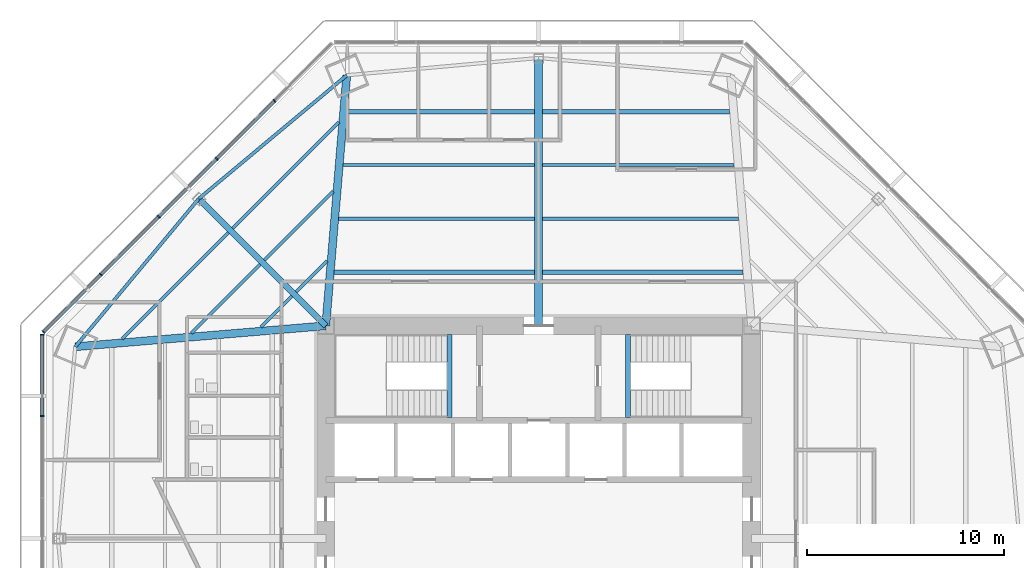
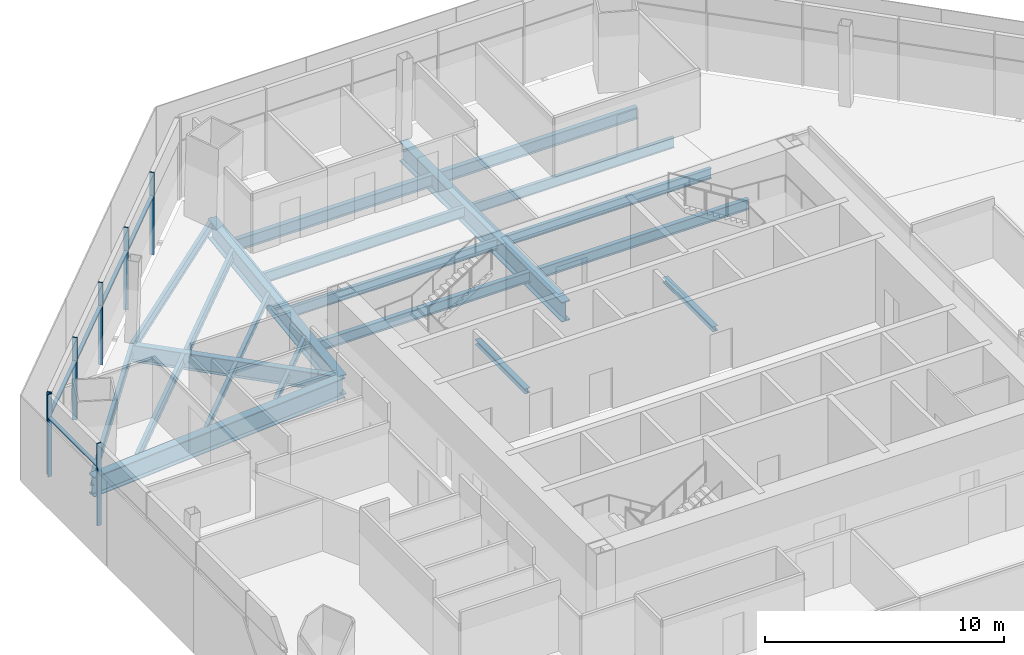
# One storey, part 5 of 16: 22 beams, 12 members, 2 elements without a shape of their own.
"""IFC4 building model written with IfcOpenShell, lengths in metres."""

from ifc_helpers import new_model, si_unit, direction, frame, origin, origin_2d, place, context, subcontext, project, spatial, rectangle, i_section, extrude, source, transform, mapped, material, material_profile, profile_set, type_object, type_shapes, element, aggregate, save


model = new_model("IFC4")

# Units and contexts
model_context = context("Model", 3, precision=1e-05, world=origin(), true_north=direction((0.0, 1.0)))
body_context = subcontext(model_context, "Body", "Model", "MODEL_VIEW")
ifc_project = project(units=[si_unit("LENGTHUNIT", "METRE"), si_unit("AREAUNIT", "SQUARE_METRE"), si_unit("VOLUMEUNIT", "CUBIC_METRE"), si_unit("PLANEANGLEUNIT", "RADIAN"), si_unit("MASSUNIT", "GRAM", prefix="KILO")], contexts=[model_context])

# Site, building, storey
site_placement = place(None, origin())
site = spatial("IfcSite", under=ifc_project, at=site_placement, CompositionType="ELEMENT")
building_placement = place(site_placement, origin())
building = spatial("IfcBuilding", under=site, at=building_placement, Name="Mashrafa Tower", CompositionType="ELEMENT")
storey_placement = place(building_placement, frame((0.0, 0.0, 100.199951171875)))
storey = spatial("IfcBuildingStorey", under=building, at=storey_placement, Name="L22", CompositionType="ELEMENT", Elevation=100.199951171875)

# Beams
ifc_material_1 = material(Name="Steel ASTM A992", Category="steel")
ifc_material_profile_1 = material_profile(ifc_material_1, i_section(OverallWidth=0.164794921875, OverallDepth=0.309814453125, WebThickness=0.005859375, FlangeThickness=0.009765625, FilletRadius=0.007568359375, at=origin_2d()), Name="W12X26")
ifc_profile_set_1 = profile_set([ifc_material_profile_1], Name="Steel ASTM A992")
beam_type_1 = type_object("IfcBeamType", Name="Beam W12X26", PredefinedType="BEAM", material=ifc_profile_set_1)
beam_1_placement = place(storey_placement, frame((-17.611328125, 10.431396484375, -0.31982421875), z_axis=(0.707082024713, 0.707131536794, 0.0), x_axis=(-0.707131536794, 0.707082024713, 0.0)))
element("IfcBeam", 1, at=beam_1_placement, inside=storey, type_object=beam_type_1, Name="Floor beam L22 006", PredefinedType="BEAM", context=body_context, shape_type="SweptSolid", body=[
    extrude(i_section(OverallWidth=0.164794921875, OverallDepth=0.309814453125, WebThickness=0.005859375, FlangeThickness=0.009765625, FilletRadius=0.007568359375, at=origin_2d()), origin(), (0.0, 0.0, 1.0), 4.930908203125),
])
beam_2_placement = place(storey_placement, frame((-14.095703125, 10.7255859375, -0.31982421875), z_axis=(0.707106781187, 0.707106781187, 0.0), x_axis=(-0.707106781187, 0.707106781187, 0.0)))
element("IfcBeam", 2, at=beam_2_placement, inside=storey, type_object=beam_type_1, Name="Floor beam L22 011", PredefinedType="BEAM", context=body_context, shape_type="SweptSolid", body=[
    extrude(i_section(OverallWidth=0.164794921875, OverallDepth=0.309814453125, WebThickness=0.005859375, FlangeThickness=0.009765625, FilletRadius=0.007568359375, at=origin_2d()), origin(), (0.0, 0.0, 1.0), 2.237060546875),
])
beam_3_placement = place(storey_placement, frame((-13.918212890625, 14.124755859375, -0.31982421875), z_axis=(0.707131536794, 0.707082024713, 0.0), x_axis=(-0.707082024713, 0.707131536794, 0.0)))
element("IfcBeam", 3, at=beam_3_placement, inside=storey, type_object=beam_type_1, Name="Floor beam L22 013", PredefinedType="BEAM", context=body_context, shape_type="SweptSolid", body=[
    extrude(i_section(OverallWidth=0.164794921875, OverallDepth=0.309814453125, WebThickness=0.005859375, FlangeThickness=0.009765625, FilletRadius=0.007568359375, at=origin_2d()), origin(), (0.0, 0.0, 1.0), 4.930908203125),
])
beam_4_placement = place(storey_placement, frame((-12.307373046875, 12.513916015625, -0.31982421875), z_axis=(0.707106781187, 0.707106781187, 0.0), x_axis=(-0.707106781187, 0.707106781187, 0.0)))
element("IfcBeam", 4, at=beam_4_placement, inside=storey, type_object=beam_type_1, Name="Floor beam L22 017", PredefinedType="BEAM", context=body_context, shape_type="SweptSolid", body=[
    extrude(i_section(OverallWidth=0.164794921875, OverallDepth=0.309814453125, WebThickness=0.005859375, FlangeThickness=0.009765625, FilletRadius=0.007568359375, at=origin_2d()), origin(), (0.0, 0.0, 1.0), 2.237060546875),
])
ifc_material_2 = material(Name="Steel ASTM A992", Category="steel")
ifc_material_profile_2 = material_profile(ifc_material_2, i_section(OverallWidth=0.1650390625, OverallDepth=0.52587890625, WebThickness=0.0087890625, FlangeThickness=0.011474609375, FilletRadius=0.0126953125, at=origin_2d()), Name="W21X44")
ifc_profile_set_2 = profile_set([ifc_material_profile_2], Name="Steel ASTM A992")
beam_type_2 = type_object("IfcBeamType", Name="Beam W21X44", PredefinedType="BEAM", material=ifc_profile_set_2)
for number, where, z_axis, x_axis, name in (
    (5, (-21.126708984375, 10.13720703125, -0.427734375), (0.707090771161, 0.707122790849, 0.0), (-0.707122790849, 0.707090771161, 0.0), "Floor beam L22 003"),
    (6, (-15.52880859375, 15.7353515625, -0.427734375), (0.707122790849, 0.707090771161, 0.0), (-0.707090771161, 0.707122790849, 0.0), "Floor beam L22 010"),
):
    element("IfcBeam", number, at=place(storey_placement, frame(where, z_axis=z_axis, x_axis=x_axis)), inside=storey, type_object=beam_type_2, Name=name, PredefinedType="BEAM", context=body_context, shape_type="SweptSolid", body=[
        extrude(i_section(OverallWidth=0.1650390625, OverallDepth=0.52587890625, WebThickness=0.0087890625, FlangeThickness=0.011474609375, FilletRadius=0.0126953125, at=origin_2d()), origin(), (0.0, 0.0, 1.0), 7.624755859375),
    ])
for number, where, z_axis, x_axis, name in (
    (7, (-9.91650390625, 18.950927734375, -0.427734375), (1.0, 0.0, 0.0), (0.0, 1.0, 0.0), "Floor beam L22 022"),
    (8, (0.20068359375, 18.950927734375, -0.427734375), (1.0, 0.0, 0.0), (0.0, 1.0, 0.0), "Floor beam L22 031"),
):
    element("IfcBeam", number, at=place(storey_placement, frame(where, z_axis=z_axis, x_axis=x_axis)), inside=storey, type_object=beam_type_2, Name=name, PredefinedType="BEAM", context=body_context, shape_type="SweptSolid", body=[
        extrude(i_section(OverallWidth=0.1650390625, OverallDepth=0.52587890625, WebThickness=0.0087890625, FlangeThickness=0.011474609375, FilletRadius=0.0126953125, at=origin_2d()), origin(), (0.0, 0.0, 1.0), 9.7158203125),
    ])
ifc_material_3 = material(Name="Steel ASTM A992", Category="steel")
ifc_material_profile_3 = material_profile(ifc_material_3, i_section(OverallWidth=0.165771484375, OverallDepth=0.5283203125, WebThickness=0.009765625, FlangeThickness=0.013671875, FilletRadius=0.012939453125, at=origin_2d()), Name="W21X50")
ifc_profile_set_3 = profile_set([ifc_material_profile_3], Name="Steel ASTM A992")
beam_type_3 = type_object("IfcBeamType", Name="Beam W21X50", PredefinedType="BEAM", material=ifc_profile_set_3)
for number, where, z_axis, x_axis, name in (
    (9, (-10.143798828125, 16.23388671875, -0.42919921875), (1.0, 0.0, 0.0), (0.0, 1.0, 0.0), "Floor beam L22 020"),
    (10, (0.20068359375, 16.23388671875, -0.42919921875), (1.0, 0.0, 0.0), (0.0, 1.0, 0.0), "Floor beam L22 030"),
):
    element("IfcBeam", number, at=place(storey_placement, frame(where, z_axis=z_axis, x_axis=x_axis)), inside=storey, type_object=beam_type_3, Name=name, PredefinedType="BEAM", context=body_context, shape_type="SweptSolid", body=[
        extrude(i_section(OverallWidth=0.165771484375, OverallDepth=0.5283203125, WebThickness=0.009765625, FlangeThickness=0.013671875, FilletRadius=0.012939453125, at=origin_2d()), origin(), (0.0, 0.0, 1.0), 9.943115234375),
    ])
for number, where, z_axis, x_axis, name in (
    (11, (-17.24267578125, 17.24267578125, -0.42919921875), (-0.640729548138, -0.76776666126, 0.0), (0.76776666126, -0.640729548138, 0.0), "Spandrel beam L22 077"),
    (12, (-9.73681640625, 23.506591796875, -0.42919921875), (-0.76776666126, -0.640729548138, 0.0), (0.640729548138, -0.76776666126, 0.0), "Spandrel beam L22 079"),
):
    element("IfcBeam", number, at=place(storey_placement, frame(where, z_axis=z_axis, x_axis=x_axis)), inside=storey, type_object=beam_type_3, Name=name, PredefinedType="BEAM", context=body_context, shape_type="SweptSolid", body=[
        extrude(i_section(OverallWidth=0.165771484375, OverallDepth=0.5283203125, WebThickness=0.009765625, FlangeThickness=0.013671875, FilletRadius=0.012939453125, at=origin_2d()), origin(), (0.0, 0.0, 1.0), 9.776123046875),
    ])
ifc_material_4 = material(Name="Steel ASTM A992", Category="steel")
ifc_material_profile_4 = material_profile(ifc_material_4, i_section(OverallWidth=0.209228515625, OverallDepth=0.533447265625, WebThickness=0.01025390625, FlangeThickness=0.015625, FilletRadius=0.012939453125, at=origin_2d()), Name="W21X62")
ifc_profile_set_4 = profile_set([ifc_material_profile_4], Name="Steel ASTM A992")
beam_type_4 = type_object("IfcBeamType", Name="Beam W21X62", PredefinedType="BEAM", material=ifc_profile_set_4)
for number, where, z_axis, x_axis, name in (
    (13, (-10.371337890625, 13.51708984375, -0.431640625), (1.0, 0.0, 0.0), (0.0, 1.0, 0.0), "Floor beam L22 018"),
    (14, (0.20068359375, 13.51708984375, -0.431640625), (1.0, 0.0, 0.0), (0.0, 1.0, 0.0), "Floor beam L22 029"),
):
    element("IfcBeam", number, at=place(storey_placement, frame(where, z_axis=z_axis, x_axis=x_axis)), inside=storey, type_object=beam_type_4, Name=name, PredefinedType="BEAM", context=body_context, shape_type="SweptSolid", body=[
        extrude(i_section(OverallWidth=0.209228515625, OverallDepth=0.533447265625, WebThickness=0.01025390625, FlangeThickness=0.015625, FilletRadius=0.012939453125, at=origin_2d()), origin(), (0.0, 0.0, 1.0), 10.170654296875),
    ])
ifc_material_5 = material(Name="Steel ASTM A992", Category="steel")
ifc_material_profile_5 = material_profile(ifc_material_5, i_section(OverallWidth=0.227783203125, OverallDepth=0.60205078125, WebThickness=0.010498046875, FlangeThickness=0.014892578125, FilletRadius=0.012939453125, at=origin_2d()), Name="W24X68")
ifc_profile_set_5 = profile_set([ifc_material_profile_5], Name="Steel ASTM A992")
beam_type_5 = type_object("IfcBeamType", Name="Beam W24X68", PredefinedType="BEAM", material=ifc_profile_set_5)
for number, where, z_axis, x_axis, name in (
    (15, (-9.689208984375, 21.66796875, -0.4658203125), (1.0, 0.0, 0.0), (0.0, 1.0, 0.0), "Floor beam L22 024"),
    (16, (0.20068359375, 21.66796875, -0.4658203125), (1.0, 0.0, 0.0), (0.0, 1.0, 0.0), "Floor beam L22 032"),
):
    element("IfcBeam", number, at=place(storey_placement, frame(where, z_axis=z_axis, x_axis=x_axis)), inside=storey, type_object=beam_type_5, Name=name, PredefinedType="BEAM", context=body_context, shape_type="SweptSolid", body=[
        extrude(i_section(OverallWidth=0.227783203125, OverallDepth=0.60205078125, WebThickness=0.010498046875, FlangeThickness=0.014892578125, FilletRadius=0.012939453125, at=origin_2d()), origin(), (0.0, 0.0, 1.0), 9.488525390625),
    ])
ifc_material_6 = material(Name="Steel ASTM A992", Category="steel")
ifc_material_profile_6 = material_profile(ifc_material_6, i_section(OverallWidth=0.2919921875, OverallDepth=0.845703125, WebThickness=0.015380859375, FlangeThickness=0.0244140625, FilletRadius=0.017333984375, at=origin_2d()), Name="W33X141")
ifc_profile_set_6 = profile_set([ifc_material_profile_6], Name="Steel ASTM A992")
beam_type_6 = type_object("IfcBeamType", Name="Beam W33X141", PredefinedType="BEAM", material=ifc_profile_set_6)
beam_5_placement = place(storey_placement, frame((-10.800048828125, 10.800048828125, -0.587890625), z_axis=(-0.707106781187, 0.707106781187, 0.0), x_axis=(-0.707106781187, -0.707106781187, 0.0)))
element("IfcBeam", 17, at=beam_5_placement, inside=storey, type_object=beam_type_6, Name="Radial girder L22 062", PredefinedType="BEAM", context=body_context, shape_type="SweptSolid", body=[
    extrude(i_section(OverallWidth=0.2919921875, OverallDepth=0.845703125, WebThickness=0.015380859375, FlangeThickness=0.0244140625, FilletRadius=0.017333984375, at=origin_2d()), origin(), (0.0, 0.0, 1.0), 9.111328125),
])
ifc_material_7 = material(Name="Steel ASTM A992", Category="steel")
ifc_material_profile_7 = material_profile(ifc_material_7, i_section(OverallWidth=0.4013671875, OverallDepth=1.010986328125, WebThickness=0.023681640625, FlangeThickness=0.0419921875, FilletRadius=0.02001953125, at=origin_2d()), Name="W40X297")
ifc_profile_set_7 = profile_set([ifc_material_profile_7], Name="Steel ASTM A992")
beam_type_7 = type_object("IfcBeamType", Name="Beam W40X297", PredefinedType="BEAM", material=ifc_profile_set_7)
for number, where, z_axis, x_axis, name in (
    (18, (-10.800048828125, 10.800048828125, -0.67041015625), (-0.996517442429, -0.083384572528, 0.0), (0.083384572528, -0.996517442429, 0.0), "Radial girder L22 061"),
    (19, (-10.800048828125, 10.800048828125, -0.67041015625), (0.083384572528, 0.996517442429, 0.0), (-0.996517442429, 0.083384572528, 0.0), "Radial girder L22 063"),
):
    element("IfcBeam", number, at=place(storey_placement, frame(where, z_axis=z_axis, x_axis=x_axis)), inside=storey, type_object=beam_type_7, Name=name, PredefinedType="BEAM", context=body_context, shape_type="SweptSolid", body=[
        extrude(i_section(OverallWidth=0.4013671875, OverallDepth=1.010986328125, WebThickness=0.023681640625, FlangeThickness=0.0419921875, FilletRadius=0.02001953125, at=origin_2d()), origin(), (0.0, 0.0, 1.0), 12.7509765625),
    ])
beam_6_placement = place(storey_placement, frame((0.0, 10.800048828125, -0.67041015625), z_axis=(0.0, 1.0, 0.0), x_axis=(-1.0, 0.0, 0.0)))
element("IfcBeam", 20, at=beam_6_placement, inside=storey, type_object=beam_type_7, Name="Radial girder L22 065", PredefinedType="BEAM", context=body_context, shape_type="SweptSolid", body=[
    extrude(i_section(OverallWidth=0.4013671875, OverallDepth=1.010986328125, WebThickness=0.023681640625, FlangeThickness=0.0419921875, FilletRadius=0.02001953125, at=origin_2d()), origin(), (0.0, 0.0, 1.0), 13.5849609375),
])
ifc_material_8 = material(Name="Steel ASTM A992", Category="steel")
ifc_material_profile_8 = material_profile(ifc_material_8, i_section(OverallWidth=0.25390625, OverallDepth=0.25390625, WebThickness=0.008544921875, FlangeThickness=0.01416015625, FilletRadius=0.010009765625, at=origin_2d()), Name="W10X49")
ifc_profile_set_8 = profile_set([ifc_material_profile_8], Name="Steel ASTM A992")
beam_type_8 = type_object("IfcBeamType", Name="Hoistway beam W10X49", PredefinedType="BEAM", material=ifc_profile_set_8)
for number, where, z_axis, x_axis, name in (
    (21, (-4.530029296875, 6.14990234375, -0.326904296875), (0.0, 1.0, 0.0), (-1.0, 0.0, 0.0), "Stair S1 landing beam L22"),
    (22, (4.530029296875, 6.14990234375, -0.326904296875), (0.0, 1.0, 0.0), (-1.0, 0.0, 0.0), "Stair S2 landing beam L22"),
):
    element("IfcBeam", number, at=place(storey_placement, frame(where, z_axis=z_axis, x_axis=x_axis)), inside=storey, type_object=beam_type_8, Name=name, PredefinedType="BEAM", context=body_context, shape_type="SweptSolid", body=[
        extrude(i_section(OverallWidth=0.25390625, OverallDepth=0.25390625, WebThickness=0.008544921875, FlangeThickness=0.01416015625, FilletRadius=0.010009765625, at=origin_2d()), origin(), (0.0, 0.0, 1.0), 4.2001953125),
    ])

# Curtain wall, members
ifc_material_9 = material(Name="Unitised aluminium curtain wall", Category="aluminium")
curtain_wall_type = type_object("IfcCurtainWallType", Name="Office curtain wall, zone 1 CW-A 200 deep", PredefinedType="NOTDEFINED", material=ifc_material_9)
curtain_wall_1_placement = place(storey_placement, origin())
curtain_wall_1 = element("IfcCurtainWall", 23, at=curtain_wall_1_placement, inside=storey, type_object=curtain_wall_type, Name="Office curtain wall, zone 1 L22 north-west", PredefinedType="NOTDEFINED")
ifc_material_10 = material(Name="Extruded aluminium mullion", Category="aluminium")
ifc_material_profile_9 = material_profile(ifc_material_10, rectangle(XDim=0.199951171875, YDim=0.06494140625, at=origin_2d()), Name="Mullion 65x200")
ifc_profile_set_9 = profile_set([ifc_material_profile_9], Name="Extruded aluminium mullion")
member_type_1 = type_object("IfcMemberType", Name="Mullion CW-A 65 x 200", PredefinedType="MULLION", material=ifc_profile_set_9)
shared_shape_1 = source(origin(), body_context, "Body", "SweptSolid", [
    extrude(rectangle(XDim=0.199951171875, YDim=0.06494140625, at=origin_2d()), origin(), (0.0, 0.0, 1.0), 4.199951171875),
])
type_shapes(member_type_1, [shared_shape_1])
member_1_placement = place(storey_placement, frame((-13.40185546875, 22.208251953125, 0.0), z_axis=(0.0, 0.0, 1.0), x_axis=(0.707106781187, -0.707106781187, 0.0)))
member_1 = element("IfcMember", 24, at=member_1_placement, type_object=member_type_1, Name="CW-A mullion 2", PredefinedType="MULLION", context=body_context, shape_type="MappedRepresentation", body=[
    mapped(shared_shape_1, transform((0.0, 0.0, 0.0))),
])
member_2_placement = place(storey_placement, frame((-16.33740234375, 19.27294921875, 0.0), z_axis=(0.0, 0.0, 1.0), x_axis=(0.707106781187, -0.707106781187, 0.0)))
member_2 = element("IfcMember", 25, at=member_2_placement, type_object=member_type_1, Name="CW-A mullion 3", PredefinedType="MULLION", context=body_context, shape_type="MappedRepresentation", body=[
    mapped(shared_shape_1, transform((0.0, 0.0, 0.0))),
])
member_3_placement = place(storey_placement, frame((-19.27294921875, 16.33740234375, 0.0), z_axis=(0.0, 0.0, 1.0), x_axis=(0.707106781187, -0.707106781187, 0.0)))
member_3 = element("IfcMember", 26, at=member_3_placement, type_object=member_type_1, Name="CW-A mullion 4", PredefinedType="MULLION", context=body_context, shape_type="MappedRepresentation", body=[
    mapped(shared_shape_1, transform((0.0, 0.0, 0.0))),
])
member_4_placement = place(storey_placement, frame((-22.208251953125, 13.40185546875, 0.0), z_axis=(0.0, 0.0, 1.0), x_axis=(0.707106781187, -0.707106781187, 0.0)))
member_4 = element("IfcMember", 27, at=member_4_placement, type_object=member_type_1, Name="CW-A mullion 5", PredefinedType="MULLION", context=body_context, shape_type="MappedRepresentation", body=[
    mapped(shared_shape_1, transform((0.0, 0.0, 0.0))),
])
member_5_placement = place(storey_placement, frame((-25.120849609375, 10.4892578125, 0.0), z_axis=(0.0, 0.0, 1.0), x_axis=(0.707106781187, -0.707106781187, 0.0)))
member_5 = element("IfcMember", 28, at=member_5_placement, type_object=member_type_1, Name="CW-A mullion 6", PredefinedType="MULLION", context=body_context, shape_type="MappedRepresentation", body=[
    mapped(shared_shape_1, transform((0.0, 0.0, 0.0))),
])

curtain_wall_2_placement = place(storey_placement, origin())
curtain_wall_2 = element("IfcCurtainWall", 29, at=curtain_wall_2_placement, inside=storey, type_object=curtain_wall_type, Name="Office curtain wall, zone 1 L22 west", PredefinedType="NOTDEFINED")
member_6_placement = place(storey_placement, frame((-25.18017578125, 10.345947265625, 0.0), z_axis=(0.0, 0.0, 1.0), x_axis=(1.0, 0.0, 0.0)))
member_6 = element("IfcMember", 30, at=member_6_placement, type_object=member_type_1, Name="CW-A mullion 1", PredefinedType="MULLION", context=body_context, shape_type="MappedRepresentation", body=[
    mapped(shared_shape_1, transform((0.0, 0.0, 0.0))),
])
member_7_placement = place(storey_placement, frame((-25.18017578125, 6.22705078125, 0.0), z_axis=(0.0, 0.0, 1.0), x_axis=(1.0, 0.0, 0.0)))
member_7 = element("IfcMember", 31, at=member_7_placement, type_object=member_type_1, Name="CW-A mullion 2", PredefinedType="MULLION", context=body_context, shape_type="MappedRepresentation", body=[
    mapped(shared_shape_1, transform((0.0, 0.0, 0.0))),
])
ifc_material_11 = material(Name="Extruded aluminium transom", Category="aluminium")
ifc_material_profile_10 = material_profile(ifc_material_11, rectangle(XDim=0.159912109375, YDim=0.080078125, at=origin_2d()), Name="Transom 80x160")
ifc_profile_set_10 = profile_set([ifc_material_profile_10], Name="Extruded aluminium transom")
member_type_2 = type_object("IfcMemberType", Name="Transom CW-A 80 x 160", PredefinedType="MULLION", material=ifc_profile_set_10)
shared_shape_2 = source(origin(), body_context, "Body", "SweptSolid", [
    extrude(rectangle(XDim=0.159912109375, YDim=0.080078125, at=origin_2d()), origin(), (0.0, 0.0, 1.0), 4.053955078125),
])
member_8_placement = place(storey_placement, frame((-25.18017578125, 10.3134765625, 3.0), z_axis=(0.0, -1.0, 0.0), x_axis=(1.0, 0.0, 0.0)))
member_8 = element("IfcMember", 32, at=member_8_placement, type_object=member_type_2, Name="CW-A transom 1", PredefinedType="MULLION", context=body_context, shape_type="MappedRepresentation", body=[
    mapped(shared_shape_2, transform((0.0, 0.0, 0.0))),
])
aggregate(curtain_wall_2, [member_6, member_7, member_8])

# Member
shared_shape_3 = source(origin(), body_context, "Body", "SweptSolid", [
    extrude(rectangle(XDim=0.159912109375, YDim=0.080078125, at=origin_2d()), origin(), (0.0, 0.0, 1.0), 4.08642578125),
])
member_9_placement = place(storey_placement, frame((-13.4248046875, 22.185302734375, 3.0), z_axis=(-0.707136652837, -0.707076908274, 0.0), x_axis=(0.707076908274, -0.707136652837, 0.0)))
member_9 = element("IfcMember", 33, at=member_9_placement, type_object=member_type_2, Name="CW-A transom 2", PredefinedType="MULLION", context=body_context, shape_type="MappedRepresentation", body=[
    mapped(shared_shape_3, transform((0.0, 0.0, 0.0))),
])

member_10_placement = place(storey_placement, frame((-19.2958984375, 16.314453125, 3.0), z_axis=(-0.707076908274, -0.707136652837, 0.0), x_axis=(0.707136652837, -0.707076908274, 0.0)))
member_10 = element("IfcMember", 34, at=member_10_placement, type_object=member_type_2, Name="CW-A transom 4", PredefinedType="MULLION", context=body_context, shape_type="MappedRepresentation", body=[
    mapped(shared_shape_3, transform((0.0, 0.0, 0.0))),
])

shared_shape_4 = source(origin(), body_context, "Body", "SweptSolid", [
    extrude(rectangle(XDim=0.159912109375, YDim=0.080078125, at=origin_2d()), origin(), (0.0, 0.0, 1.0), 4.05419921875),
])
member_11_placement = place(storey_placement, frame((-22.231201171875, 13.37890625, 3.0), z_axis=(-0.707106781187, -0.707106781187, 0.0), x_axis=(0.707106781187, -0.707106781187, 0.0)))
member_11 = element("IfcMember", 35, at=member_11_placement, type_object=member_type_2, Name="CW-A transom 5", PredefinedType="MULLION", context=body_context, shape_type="MappedRepresentation", body=[
    mapped(shared_shape_4, transform((0.0, 0.0, 0.0))),
])

shared_shape_5 = source(origin(), body_context, "Body", "SweptSolid", [
    extrude(rectangle(XDim=0.159912109375, YDim=0.080078125, at=origin_2d()), origin(), (0.0, 0.0, 1.0), 4.086181640625),
])
type_shapes(member_type_2, [shared_shape_2, shared_shape_3, shared_shape_4, shared_shape_5])
member_12_placement = place(storey_placement, frame((-16.3603515625, 19.249755859375, 3.0), z_axis=(-0.707106781187, -0.707106781187, 0.0), x_axis=(0.707106781187, -0.707106781187, 0.0)))
member_12 = element("IfcMember", 36, at=member_12_placement, type_object=member_type_2, Name="CW-A transom 3", PredefinedType="MULLION", context=body_context, shape_type="MappedRepresentation", body=[
    mapped(shared_shape_5, transform((0.0, 0.0, 0.0))),
])

aggregate(curtain_wall_1, [member_1, member_2, member_3, member_4, member_5, member_9, member_12, member_10, member_11])

save(model, "model.ifc")
